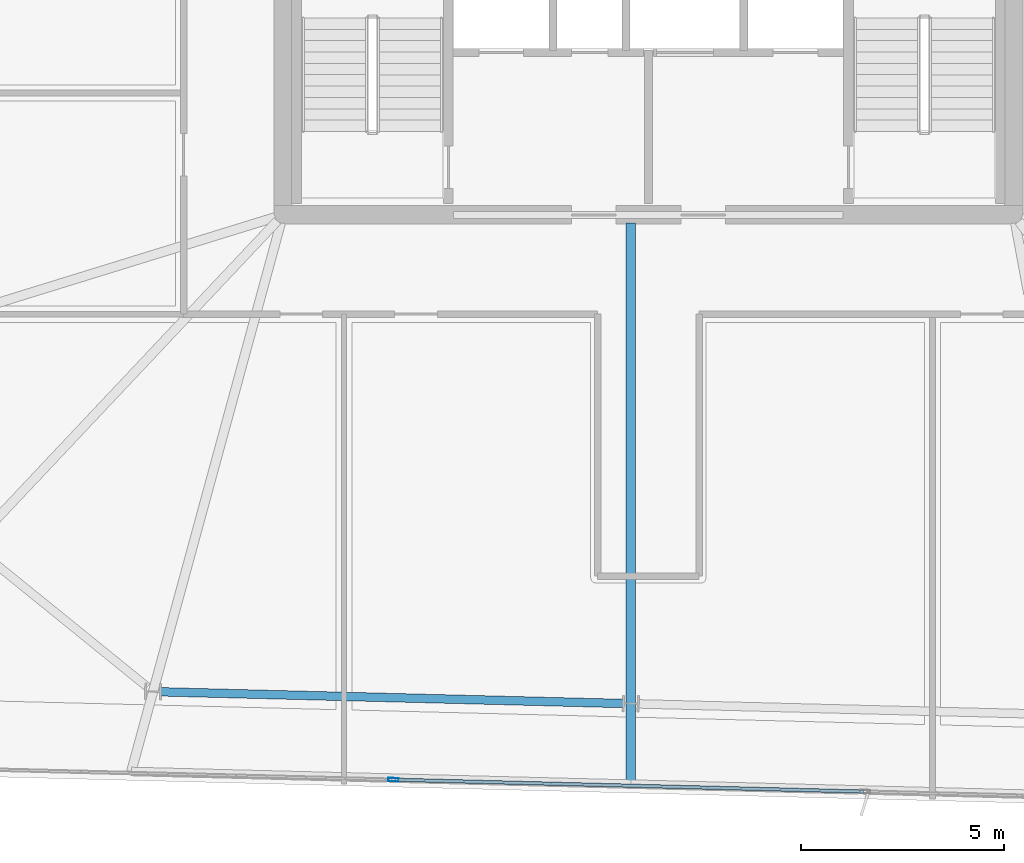
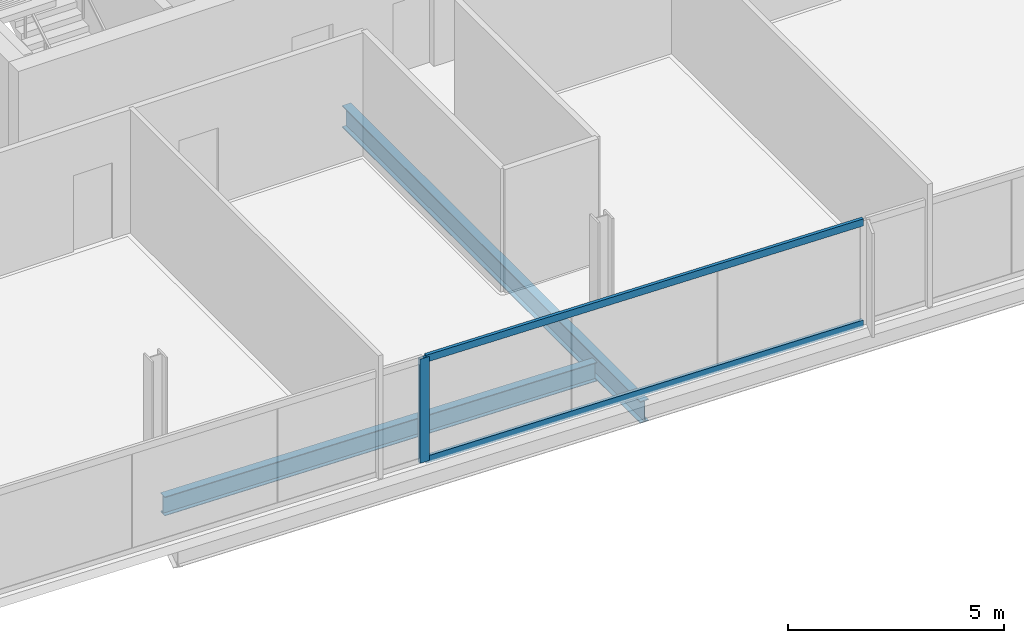
# One storey, part 4 of 25: 3 members, 2 beams, 1 element without a shape of its own.
"""IFC4 building model written with IfcOpenShell, lengths in metres."""

import ifcopenshell
import ifcopenshell.guid

model = None  # the IFC model being written
_history = None  # IfcOwnerHistory: only IFC2X3 demands one
_inside = {}  # id of a spatial element -> (the spatial element, [elements in it])
_under = {}  # id of a project, library or spatial element -> (it, [spatial elements below it])
_declared = {}  # id of a project -> (the project, [libraries it declares])
_typed = {}  # id of a type object -> (the type object, [elements of that type])
_made_of = {}  # id of a material, layer set ... -> (it, [elements and type objects made of it])


def new_model(schema):
    """Start an empty IFC model of exactly this schema.

    Asked for "IFC4X3", IfcOpenShell would pick the latest addendum, in which some entities
    have other attributes; the version numbers below select the first issue.
    IFC2X3 requires an IfcOwnerHistory on every rooted entity: one is made here for all.
    """
    global model, _history
    if schema == "IFC4X3":
        model = ifcopenshell.file(schema_version=(4, 3, 0, 0))
    else:
        model = ifcopenshell.file(schema=schema)
    _inside.clear()
    _under.clear()
    _declared.clear()
    _typed.clear()
    _made_of.clear()
    _history = None
    if model.schema == "IFC2X3":
        org = make("IfcOrganization", Name="unknown")
        user = make(
            "IfcPersonAndOrganization",
            ThePerson=make("IfcPerson", FamilyName="unknown"),
            TheOrganization=org,
        )
        app = make(
            "IfcApplication",
            ApplicationDeveloper=org,
            Version="unknown",
            ApplicationFullName="unknown",
            ApplicationIdentifier="unknown",
        )
        _history = make(
            "IfcOwnerHistory",
            OwningUser=user,
            OwningApplication=app,
            ChangeAction="ADDED",
            CreationDate=0,
        )
    return model


def make(cls, **values):
    """One entity of the class cls with the attributes given. An attribute that is None is left unset."""
    return model.create_entity(
        cls, **{name: value for name, value in values.items() if value is not None}
    )


def rooted(cls, **values):
    """An entity with a GlobalId (a new one), such as an element, a storey or a relation."""
    return make(cls, GlobalId=ifcopenshell.guid.new(), OwnerHistory=_history, **values)


def si_unit(unit_type, name, prefix=None):
    """IfcSIUnit, for example si_unit("LENGTHUNIT", "METRE", prefix="MILLI")."""
    return make("IfcSIUnit", UnitType=unit_type, Prefix=prefix, Name=name)


def assignment(units):
    """IfcUnitAssignment: the units of a project."""
    return None if units is None else make("IfcUnitAssignment", Units=units)


def point(xyz):
    """IfcCartesianPoint."""
    return None if xyz is None else make("IfcCartesianPoint", Coordinates=xyz)


def direction(xyz):
    """IfcDirection."""
    return None if xyz is None else make("IfcDirection", DirectionRatios=xyz)


def frame(location, z_axis=None, x_axis=None):
    """IfcAxis2Placement3D, a coordinate frame: its origin and axes. An axis left out is left unset."""
    return make(
        "IfcAxis2Placement3D",
        Location=point(location),
        Axis=direction(z_axis),
        RefDirection=direction(x_axis),
    )


def frame_2d(location, x_axis=None):
    """IfcAxis2Placement2D, a coordinate frame in the plane: its origin and x axis."""
    return make(
        "IfcAxis2Placement2D", Location=point(location), RefDirection=direction(x_axis)
    )


def origin():
    """The frame at (0, 0, 0) with its axes left unset."""
    return frame((0.0, 0.0, 0.0))


def origin_2d():
    """The frame at (0, 0) in the plane with its x axis left unset."""
    return frame_2d((0.0, 0.0))


def place(relative_to, where):
    """IfcLocalPlacement: puts the frame where relative to a parent placement (None: the world)."""
    return make(
        "IfcLocalPlacement", PlacementRelTo=relative_to, RelativePlacement=where
    )


def context(
    kind, dimensions, precision=None, world=None, true_north=None, identifier=None
):
    """IfcGeometricRepresentationContext, for example the 3D "Model" context."""
    return make(
        "IfcGeometricRepresentationContext",
        ContextIdentifier=identifier,
        ContextType=kind,
        CoordinateSpaceDimension=dimensions,
        Precision=precision,
        WorldCoordinateSystem=world,
        TrueNorth=true_north,
    )


def subcontext(parent, identifier, kind, view, scale=None):
    """IfcGeometricRepresentationSubContext, for example "Body" below "Model"."""
    return make(
        "IfcGeometricRepresentationSubContext",
        ContextIdentifier=identifier,
        ContextType=kind,
        ParentContext=parent,
        TargetScale=scale,
        TargetView=view,
    )


def project(units=None, contexts=None):
    """IfcProject with its units and contexts."""
    return rooted(
        "IfcProject",
        Name="project",
        RepresentationContexts=contexts,
        UnitsInContext=assignment(units),
    )


def spatial(cls, under=None, at=None, **own):
    """A site, building, storey or space (cls), placed at a placement, below another one or the project."""
    s = rooted(cls, ObjectPlacement=at, **own)
    if under is not None:
        _under.setdefault(under.id(), (under, []))[1].append(s)
    return s


def profile(cls, at=None, kind="AREA", **sizes):
    """A parametric profile (cls). Its sizes go by their IFC names, for example OverallWidth=200.0."""
    return make(cls, ProfileType=kind, Position=at, **sizes)


def hollow_rectangle(**sizes):
    """IfcRectangleHollowProfileDef."""
    return profile("IfcRectangleHollowProfileDef", **sizes)


def i_section(**sizes):
    """IfcIShapeProfileDef."""
    return profile("IfcIShapeProfileDef", **sizes)


def extrude(swept, where, along, depth):
    """IfcExtrudedAreaSolid: the profile swept, set in the frame where, extruded along a direction by depth."""
    return make(
        "IfcExtrudedAreaSolid",
        SweptArea=swept,
        Position=where,
        ExtrudedDirection=direction(along),
        Depth=depth,
    )


def shape(context_of_items, identifier, shape_type, items):
    """IfcShapeRepresentation: the items that make up one representation, for example the "Body"."""
    return make(
        "IfcShapeRepresentation",
        ContextOfItems=context_of_items,
        RepresentationIdentifier=identifier,
        RepresentationType=shape_type,
        Items=items,
    )


def material(Name=None, Category=None):
    """IfcMaterial."""
    return make("IfcMaterial", Name=Name, Category=Category)


def material_profile(
    of_material, cross_section, Name=None, Category=None, Priority=None
):
    """IfcMaterialProfile: a cross section and its material."""
    return make(
        "IfcMaterialProfile",
        Name=Name,
        Material=of_material,
        Profile=cross_section,
        Priority=Priority,
        Category=Category,
    )


def profile_set(profiles, Name=None, composite=None):
    """IfcMaterialProfileSet."""
    return make(
        "IfcMaterialProfileSet",
        Name=Name,
        MaterialProfiles=profiles,
        CompositeProfile=composite,
    )


def made_of(thing, what):
    """Note that an element or type object is made of a material, layer set ...; save() writes the relation."""
    if what is not None:
        _made_of.setdefault(what.id(), (what, []))[1].append(thing)
    return thing


def type_object(cls, material=None, **own):
    """A type object (cls), such as IfcWallType, which elements share."""
    return made_of(rooted(cls, **own), material)


def element(
    cls,
    number,
    at=None,
    inside=None,
    cuts=None,
    type_object=None,
    material=None,
    context=None,
    identifier="Body",
    shape_type=None,
    held_by="IfcProductDefinitionShape",
    body=None,
    shapes=None,
    **own,
):
    """One element of the class cls, such as IfcWall. Its Tag is "e" and its number.

    at: its placement. inside: the storey or other place that contains it. cuts: it is an
    opening in that element (IfcRelVoidsElement). A single representation is given by context,
    identifier, shape_type and body (its items); several are given by shapes. held_by: the class
    of the entity that holds the representations. save() writes the other relations.
    """
    e = rooted(cls, Tag="e%d" % number, ObjectPlacement=at, **own)
    if body is not None:
        shapes = [shape(context, identifier, shape_type, body)]
    if shapes is not None:
        e.Representation = make(held_by, Representations=shapes)
    if inside is not None:
        _inside.setdefault(inside.id(), (inside, []))[1].append(e)
    if cuts is not None:
        rooted(
            "IfcRelVoidsElement", RelatingBuildingElement=cuts, RelatedOpeningElement=e
        )
    if type_object is not None:
        _typed.setdefault(type_object.id(), (type_object, []))[1].append(e)
    return made_of(e, material)


def aggregate(whole, parts):
    """IfcRelAggregates: a whole, such as a stair, and the parts it consists of."""
    return rooted("IfcRelAggregates", RelatingObject=whole, RelatedObjects=parts)


def save(model, path):
    """Write the relations noted so far, then the file.

    IfcRelAggregates (storeys below a building ...), IfcRelContainedInSpatialStructure (elements
    in a storey), IfcRelDefinesByType, IfcRelAssociatesMaterial and IfcRelDeclares: one each for
    every whole, place, type object, material and project.
    """
    for whole, parts in _under.values():
        aggregate(whole, parts)
    for where, things in _inside.values():
        rooted(
            "IfcRelContainedInSpatialStructure",
            RelatedElements=things,
            RelatingStructure=where,
        )
    for kind, things in _typed.values():
        rooted("IfcRelDefinesByType", RelatedObjects=things, RelatingType=kind)
    for what, things in _made_of.values():
        rooted("IfcRelAssociatesMaterial", RelatedObjects=things, RelatingMaterial=what)
    for by, libraries in _declared.values():
        rooted("IfcRelDeclares", RelatingContext=by, RelatedDefinitions=libraries)
    model.write(path)


model = new_model("IFC4")

# Units and contexts
model_context = context("Model", 3, precision=1e-05, world=origin(), true_north=direction((0.0, 1.0)))
body_context = subcontext(model_context, "Body", "Model", "MODEL_VIEW")
ifc_project = project(units=[si_unit("LENGTHUNIT", "METRE"), si_unit("AREAUNIT", "SQUARE_METRE"), si_unit("VOLUMEUNIT", "CUBIC_METRE"), si_unit("PLANEANGLEUNIT", "RADIAN"), si_unit("MASSUNIT", "GRAM", prefix="KILO")], contexts=[model_context])

# Site, building, storey
site_placement = place(None, origin())
site = spatial("IfcSite", under=ifc_project, at=site_placement, CompositionType="ELEMENT")
building_placement = place(site_placement, origin())
building = spatial("IfcBuilding", under=site, at=building_placement, Name="Haldenkirk Collegiate Tower", CompositionType="ELEMENT")
storey_placement = place(building_placement, frame((0.0, 0.0, 325.199951171875)))
storey = spatial("IfcBuildingStorey", under=building, at=storey_placement, Name="L82", CompositionType="ELEMENT", Elevation=325.199951171875)

# Beams
ifc_material_1 = material(Name="Steel ASTM A992 Grade 50", Category="steel")
ifc_material_profile_1 = material_profile(ifc_material_1, i_section(OverallWidth=0.22998046875, OverallDepth=0.616943359375, WebThickness=0.01318359375, FlangeThickness=0.022216796875, at=origin_2d()), Name="W24X94")
ifc_profile_set_1 = profile_set([ifc_material_profile_1], Name="Steel ASTM A992 Grade 50")
beam_type_1 = type_object("IfcBeamType", Name="BM-GIRDER-W24X94", PredefinedType="BEAM", material=ifc_profile_set_1)
beam_1_placement = place(storey_placement, frame((35.567626953125, 3.973876953125, -0.568359375), z_axis=(0.0, 1.0, 0.0), x_axis=(-1.0, 0.0, 0.0)))
element("IfcBeam", 1, at=beam_1_placement, inside=storey, type_object=beam_type_1, Name="L82 primary floor girder 15", PredefinedType="BEAM", context=body_context, shape_type="SweptSolid", body=[
    extrude(i_section(OverallWidth=0.22998046875, OverallDepth=0.616943359375, WebThickness=0.01318359375, FlangeThickness=0.022216796875, at=origin_2d()), origin(), (0.0, 0.0, 1.0), 13.821044921875),
])
ifc_material_profile_2 = material_profile(ifc_material_1, i_section(OverallWidth=0.2099609375, OverallDepth=0.537109375, WebThickness=0.010986328125, FlangeThickness=0.017333984375, at=origin_2d()), Name="W21X68")
ifc_profile_set_2 = profile_set([ifc_material_profile_2], Name="Steel ASTM A992 Grade 50")
beam_type_2 = type_object("IfcBeamType", Name="BM-SPANDREL-W21X68", PredefinedType="SPANDREL", material=ifc_profile_set_2)
beam_2_placement = place(storey_placement, frame((23.984375, 6.247802734375, -0.528564453125), z_axis=(0.99967950041, -0.02531593293, 0.0), x_axis=(0.02531593293, 0.99967950041, 0.0)))
element("IfcBeam", 2, at=beam_2_placement, inside=storey, type_object=beam_type_2, Name="L82 perimeter spandrel beam 14", PredefinedType="SPANDREL", context=body_context, shape_type="SweptSolid", body=[
    extrude(i_section(OverallWidth=0.2099609375, OverallDepth=0.537109375, WebThickness=0.010986328125, FlangeThickness=0.017333984375, at=origin_2d()), origin(), (0.0, 0.0, 1.0), 11.39892578125),
])

# Curtain wall, members
ifc_material_2 = material(Name="Anodised architectural bronze aluminium", Category="aluminium")
curtain_wall_type = type_object("IfcCurtainWallType", Name="CW-SYS1B-CONVEX-HI", PredefinedType="USERDEFINED", material=ifc_material_2)
curtain_wall_placement = place(storey_placement, origin())
curtain_wall = element("IfcCurtainWall", 3, at=curtain_wall_placement, inside=storey, type_object=curtain_wall_type, Name="L82 Upper tower high-wind convex bronze unitised curtain wall", ObjectType="UNITISED CURTAIN WALL", PredefinedType="USERDEFINED")
ifc_material_profile_3 = material_profile(ifc_material_2, hollow_rectangle(XDim=0.0849609375, YDim=0.25, WallThickness=0.0048828125, at=origin_2d()), Name="CW-MUL-1B")
ifc_profile_set_3 = profile_set([ifc_material_profile_3], Name="Anodised architectural bronze aluminium")
member_type_1 = type_object("IfcMemberType", Name="CW-MUL-1B", PredefinedType="MULLION", material=ifc_profile_set_3)
member_1_placement = place(storey_placement, frame((29.718505859375, 4.081787109375, 0.0), z_axis=(0.0, 0.0, 1.0), x_axis=(-0.025301745011, -0.999679859605, 0.0)))
member_1 = element("IfcMember", 4, at=member_1_placement, type_object=member_type_1, Name="CW-1B mullion 3", PredefinedType="MULLION", context=body_context, shape_type="SweptSolid", body=[
    extrude(hollow_rectangle(XDim=0.0849609375, YDim=0.25, WallThickness=0.0048828125, at=origin_2d()), origin(), (0.0, 0.0, 1.0), 2.947998046875),
])
ifc_material_profile_4 = material_profile(ifc_material_2, hollow_rectangle(XDim=0.0849609375, YDim=0.199951171875, WallThickness=0.0048828125, at=origin_2d()), Name="CW-TRN-1B")
ifc_profile_set_4 = profile_set([ifc_material_profile_4], Name="Anodised architectural bronze aluminium")
member_type_2 = type_object("IfcMemberType", Name="CW-TRN-1B", PredefinedType="USERDEFINED", material=ifc_profile_set_4)
member_2_placement = place(storey_placement, frame((41.297119140625, 3.788818359375, 0.04248046875), z_axis=(-0.999679827991, 0.025302994038, 0.0), x_axis=(-0.025302994038, -0.999679827991, 0.0)))
member_2 = element("IfcMember", 5, at=member_2_placement, type_object=member_type_2, Name="CW-1B transom 2.1", ObjectType="TRANSOM", PredefinedType="USERDEFINED", context=body_context, shape_type="SweptSolid", body=[
    extrude(hollow_rectangle(XDim=0.0849609375, YDim=0.199951171875, WallThickness=0.0048828125, at=origin_2d()), origin(), (0.0, 0.0, 1.0), 11.539794921875),
])
member_3_placement = place(storey_placement, frame((41.297119140625, 3.788818359375, 2.905517578125), z_axis=(-0.999679827991, 0.025302994038, 0.0), x_axis=(-0.025302994038, -0.999679827991, 0.0)))
member_3 = element("IfcMember", 6, at=member_3_placement, type_object=member_type_2, Name="CW-1B transom 2.2", ObjectType="TRANSOM", PredefinedType="USERDEFINED", context=body_context, shape_type="SweptSolid", body=[
    extrude(hollow_rectangle(XDim=0.0849609375, YDim=0.199951171875, WallThickness=0.0048828125, at=origin_2d()), origin(), (0.0, 0.0, 1.0), 11.539794921875),
])
aggregate(curtain_wall, [member_1, member_2, member_3])

save(model, "model.ifc")
